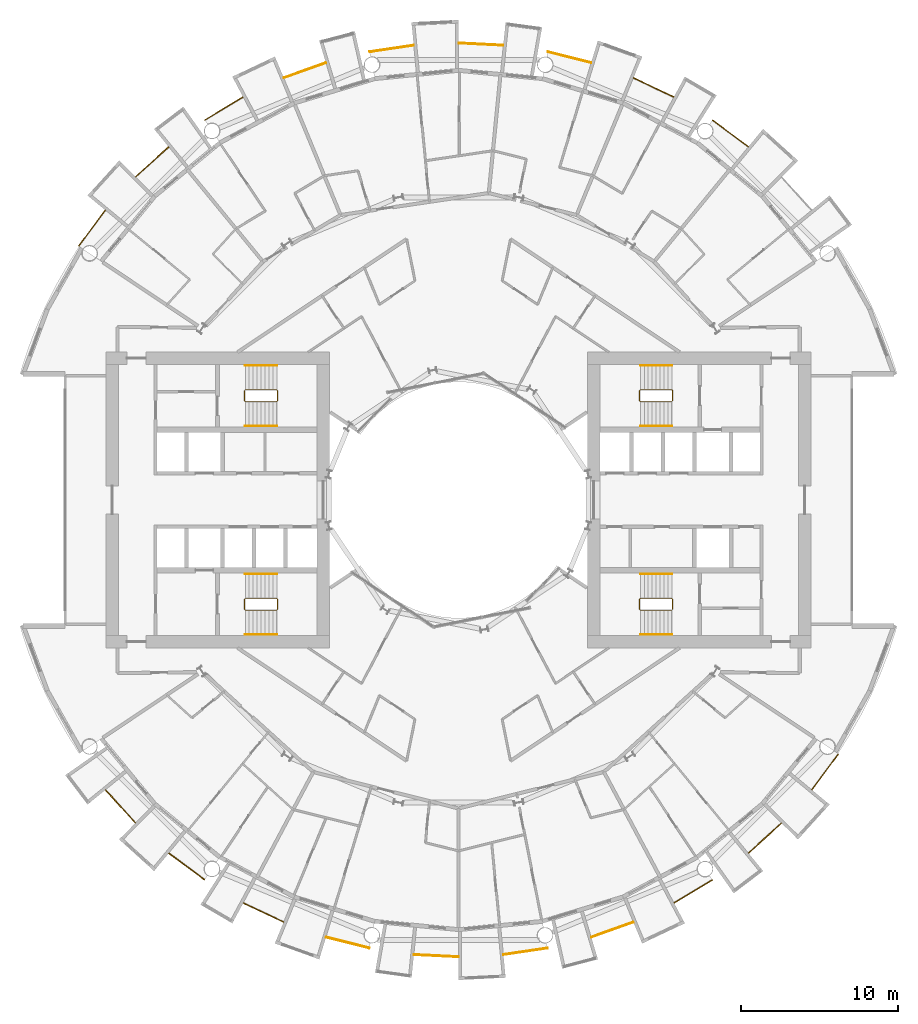
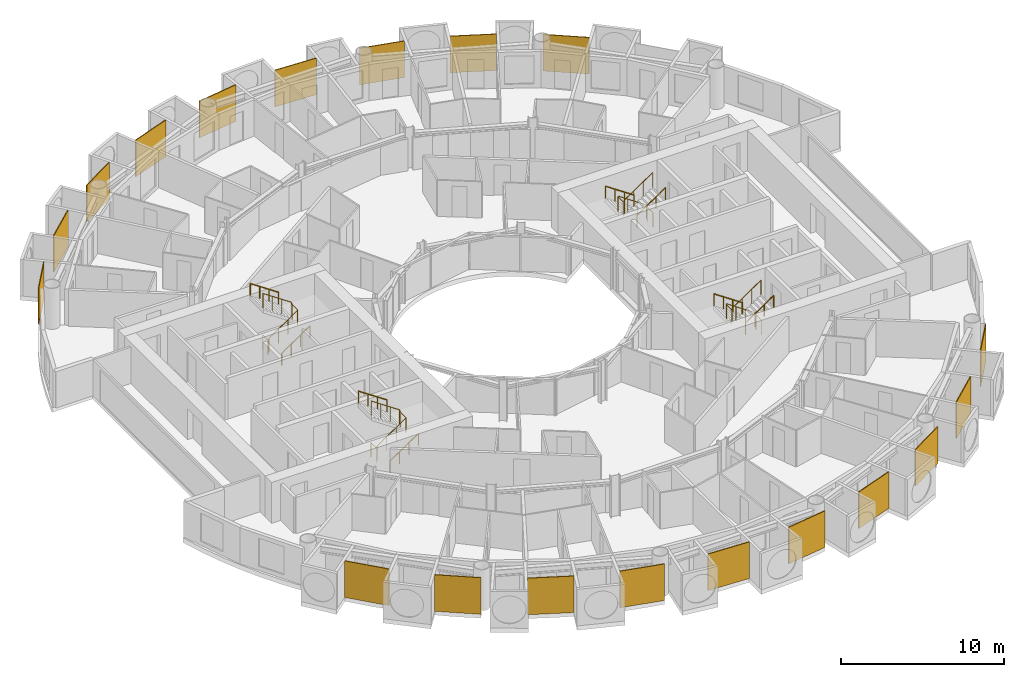
# One storey, part 25 of 26: 31 railings.
"""IFC4 building model written with IfcOpenShell, lengths in metres."""

import ifcopenshell
import ifcopenshell.guid

model = None  # the IFC model being written
_history = None  # IfcOwnerHistory: only IFC2X3 demands one
_inside = {}  # id of a spatial element -> (the spatial element, [elements in it])
_under = {}  # id of a project, library or spatial element -> (it, [spatial elements below it])
_declared = {}  # id of a project -> (the project, [libraries it declares])
_typed = {}  # id of a type object -> (the type object, [elements of that type])
_made_of = {}  # id of a material, layer set ... -> (it, [elements and type objects made of it])


def new_model(schema):
    """Start an empty IFC model of exactly this schema.

    Asked for "IFC4X3", IfcOpenShell would pick the latest addendum, in which some entities
    have other attributes; the version numbers below select the first issue.
    IFC2X3 requires an IfcOwnerHistory on every rooted entity: one is made here for all.
    """
    global model, _history
    if schema == "IFC4X3":
        model = ifcopenshell.file(schema_version=(4, 3, 0, 0))
    else:
        model = ifcopenshell.file(schema=schema)
    _inside.clear()
    _under.clear()
    _declared.clear()
    _typed.clear()
    _made_of.clear()
    _history = None
    if model.schema == "IFC2X3":
        org = make("IfcOrganization", Name="unknown")
        user = make(
            "IfcPersonAndOrganization",
            ThePerson=make("IfcPerson", FamilyName="unknown"),
            TheOrganization=org,
        )
        app = make(
            "IfcApplication",
            ApplicationDeveloper=org,
            Version="unknown",
            ApplicationFullName="unknown",
            ApplicationIdentifier="unknown",
        )
        _history = make(
            "IfcOwnerHistory",
            OwningUser=user,
            OwningApplication=app,
            ChangeAction="ADDED",
            CreationDate=0,
        )
    return model


def make(cls, **values):
    """One entity of the class cls with the attributes given. An attribute that is None is left unset."""
    return model.create_entity(
        cls, **{name: value for name, value in values.items() if value is not None}
    )


def rooted(cls, **values):
    """An entity with a GlobalId (a new one), such as an element, a storey or a relation."""
    return make(cls, GlobalId=ifcopenshell.guid.new(), OwnerHistory=_history, **values)


def si_unit(unit_type, name, prefix=None):
    """IfcSIUnit, for example si_unit("LENGTHUNIT", "METRE", prefix="MILLI")."""
    return make("IfcSIUnit", UnitType=unit_type, Prefix=prefix, Name=name)


def assignment(units):
    """IfcUnitAssignment: the units of a project."""
    return None if units is None else make("IfcUnitAssignment", Units=units)


def point(xyz):
    """IfcCartesianPoint."""
    return None if xyz is None else make("IfcCartesianPoint", Coordinates=xyz)


def direction(xyz):
    """IfcDirection."""
    return None if xyz is None else make("IfcDirection", DirectionRatios=xyz)


def frame(location, z_axis=None, x_axis=None):
    """IfcAxis2Placement3D, a coordinate frame: its origin and axes. An axis left out is left unset."""
    return make(
        "IfcAxis2Placement3D",
        Location=point(location),
        Axis=direction(z_axis),
        RefDirection=direction(x_axis),
    )


def frame_2d(location, x_axis=None):
    """IfcAxis2Placement2D, a coordinate frame in the plane: its origin and x axis."""
    return make(
        "IfcAxis2Placement2D", Location=point(location), RefDirection=direction(x_axis)
    )


def origin():
    """The frame at (0, 0, 0) with its axes left unset."""
    return frame((0.0, 0.0, 0.0))


def origin_2d():
    """The frame at (0, 0) in the plane with its x axis left unset."""
    return frame_2d((0.0, 0.0))


def place(relative_to, where):
    """IfcLocalPlacement: puts the frame where relative to a parent placement (None: the world)."""
    return make(
        "IfcLocalPlacement", PlacementRelTo=relative_to, RelativePlacement=where
    )


def context(
    kind, dimensions, precision=None, world=None, true_north=None, identifier=None
):
    """IfcGeometricRepresentationContext, for example the 3D "Model" context."""
    return make(
        "IfcGeometricRepresentationContext",
        ContextIdentifier=identifier,
        ContextType=kind,
        CoordinateSpaceDimension=dimensions,
        Precision=precision,
        WorldCoordinateSystem=world,
        TrueNorth=true_north,
    )


def subcontext(parent, identifier, kind, view, scale=None):
    """IfcGeometricRepresentationSubContext, for example "Body" below "Model"."""
    return make(
        "IfcGeometricRepresentationSubContext",
        ContextIdentifier=identifier,
        ContextType=kind,
        ParentContext=parent,
        TargetScale=scale,
        TargetView=view,
    )


def project(units=None, contexts=None):
    """IfcProject with its units and contexts."""
    return rooted(
        "IfcProject",
        Name="project",
        RepresentationContexts=contexts,
        UnitsInContext=assignment(units),
    )


def spatial(cls, under=None, at=None, **own):
    """A site, building, storey or space (cls), placed at a placement, below another one or the project."""
    s = rooted(cls, ObjectPlacement=at, **own)
    if under is not None:
        _under.setdefault(under.id(), (under, []))[1].append(s)
    return s


def polyline(points):
    """IfcPolyline through the points."""
    return make("IfcPolyline", Points=[point(p) for p in points])


def profile(cls, at=None, kind="AREA", **sizes):
    """A parametric profile (cls). Its sizes go by their IFC names, for example OverallWidth=200.0."""
    return make(cls, ProfileType=kind, Position=at, **sizes)


def circle(**sizes):
    """IfcCircleProfileDef."""
    return profile("IfcCircleProfileDef", **sizes)


def outline(outer, holes=None, kind="AREA"):
    """IfcArbitraryClosedProfileDef: a profile drawn as a closed curve; with holes, ...WithVoids."""
    if holes is None:
        return make("IfcArbitraryClosedProfileDef", ProfileType=kind, OuterCurve=outer)
    return make(
        "IfcArbitraryProfileDefWithVoids",
        ProfileType=kind,
        OuterCurve=outer,
        InnerCurves=holes,
    )


def extrude(swept, where, along, depth):
    """IfcExtrudedAreaSolid: the profile swept, set in the frame where, extruded along a direction by depth."""
    return make(
        "IfcExtrudedAreaSolid",
        SweptArea=swept,
        Position=where,
        ExtrudedDirection=direction(along),
        Depth=depth,
    )


def shape(context_of_items, identifier, shape_type, items):
    """IfcShapeRepresentation: the items that make up one representation, for example the "Body"."""
    return make(
        "IfcShapeRepresentation",
        ContextOfItems=context_of_items,
        RepresentationIdentifier=identifier,
        RepresentationType=shape_type,
        Items=items,
    )


def material(Name=None, Category=None):
    """IfcMaterial."""
    return make("IfcMaterial", Name=Name, Category=Category)


def layer(
    of_material, thickness, ventilated=None, Name=None, Category=None, Priority=None
):
    """IfcMaterialLayer: one layer of a wall or slab, of a material (None: an air gap)."""
    return make(
        "IfcMaterialLayer",
        Material=of_material,
        LayerThickness=thickness,
        IsVentilated=ventilated,
        Name=Name,
        Category=Category,
        Priority=Priority,
    )


def layer_set(layers, Name=None):
    """IfcMaterialLayerSet."""
    return make("IfcMaterialLayerSet", MaterialLayers=layers, LayerSetName=Name)


def made_of(thing, what):
    """Note that an element or type object is made of a material, layer set ...; save() writes the relation."""
    if what is not None:
        _made_of.setdefault(what.id(), (what, []))[1].append(thing)
    return thing


def type_object(cls, material=None, **own):
    """A type object (cls), such as IfcWallType, which elements share."""
    return made_of(rooted(cls, **own), material)


def element(
    cls,
    number,
    at=None,
    inside=None,
    cuts=None,
    type_object=None,
    material=None,
    context=None,
    identifier="Body",
    shape_type=None,
    held_by="IfcProductDefinitionShape",
    body=None,
    shapes=None,
    **own,
):
    """One element of the class cls, such as IfcWall. Its Tag is "e" and its number.

    at: its placement. inside: the storey or other place that contains it. cuts: it is an
    opening in that element (IfcRelVoidsElement). A single representation is given by context,
    identifier, shape_type and body (its items); several are given by shapes. held_by: the class
    of the entity that holds the representations. save() writes the other relations.
    """
    e = rooted(cls, Tag="e%d" % number, ObjectPlacement=at, **own)
    if body is not None:
        shapes = [shape(context, identifier, shape_type, body)]
    if shapes is not None:
        e.Representation = make(held_by, Representations=shapes)
    if inside is not None:
        _inside.setdefault(inside.id(), (inside, []))[1].append(e)
    if cuts is not None:
        rooted(
            "IfcRelVoidsElement", RelatingBuildingElement=cuts, RelatedOpeningElement=e
        )
    if type_object is not None:
        _typed.setdefault(type_object.id(), (type_object, []))[1].append(e)
    return made_of(e, material)


def aggregate(whole, parts):
    """IfcRelAggregates: a whole, such as a stair, and the parts it consists of."""
    return rooted("IfcRelAggregates", RelatingObject=whole, RelatedObjects=parts)


def save(model, path):
    """Write the relations noted so far, then the file.

    IfcRelAggregates (storeys below a building ...), IfcRelContainedInSpatialStructure (elements
    in a storey), IfcRelDefinesByType, IfcRelAssociatesMaterial and IfcRelDeclares: one each for
    every whole, place, type object, material and project.
    """
    for whole, parts in _under.values():
        aggregate(whole, parts)
    for where, things in _inside.values():
        rooted(
            "IfcRelContainedInSpatialStructure",
            RelatedElements=things,
            RelatingStructure=where,
        )
    for kind, things in _typed.values():
        rooted("IfcRelDefinesByType", RelatedObjects=things, RelatingType=kind)
    for what, things in _made_of.values():
        rooted("IfcRelAssociatesMaterial", RelatedObjects=things, RelatingMaterial=what)
    for by, libraries in _declared.values():
        rooted("IfcRelDeclares", RelatingContext=by, RelatedDefinitions=libraries)
    model.write(path)


model = new_model("IFC4")

# Units and contexts
model_context = context("Model", 3, precision=1e-05, world=origin(), true_north=direction((0.0, 1.0)))
body_context = subcontext(model_context, "Body", "Model", "MODEL_VIEW")
ifc_project = project(units=[si_unit("LENGTHUNIT", "METRE"), si_unit("AREAUNIT", "SQUARE_METRE"), si_unit("VOLUMEUNIT", "CUBIC_METRE"), si_unit("PLANEANGLEUNIT", "RADIAN"), si_unit("MASSUNIT", "GRAM", prefix="KILO")], contexts=[model_context])

# Site, building, storey
site_placement = place(None, origin())
site = spatial("IfcSite", under=ifc_project, at=site_placement, CompositionType="ELEMENT")
building_placement = place(site_placement, origin())
building = spatial("IfcBuilding", under=site, at=building_placement, Name="Maasbend Ring Residences", CompositionType="ELEMENT")
storey_placement = place(building_placement, frame((0.0, 0.0, 28.89990234375)))
storey = spatial("IfcBuildingStorey", under=building, at=storey_placement, Name="L07", CompositionType="ELEMENT", Elevation=28.89990234375)

# Railings
ifc_material_1 = material(Name="Pale anodised perforated aluminium", Category="aluminium")
ifc_layer = layer(ifc_material_1, 0.06005859375)
ifc_layer_set = layer_set([ifc_layer], Name="SCREEN-P")
railing_type_1 = type_object("IfcRailingType", Name="SCREEN-P", PredefinedType="GUARDRAIL", material=ifc_layer_set)
railing_1_placement = place(storey_placement, frame((0.0, 0.0, -0.02978515625)))
element("IfcRailing", 1, at=railing_1_placement, inside=storey, type_object=railing_type_1, Name="Perforated screen guard 2", PredefinedType="GUARDRAIL", context=body_context, shape_type="SweptSolid", body=[
    extrude(outline(polyline([(18.39697265625, 22.4169921875), (16.112060546875, 24.113037109375), (16.14697265625, 24.160888671875), (18.43310546875, 22.465087890625), (18.39697265625, 22.4169921875)])), origin(), (0.0, 0.0, 1.0), 2.72998046875),
])
railing_2_placement = place(storey_placement, frame((0.0, 0.0, -0.02978515625)))
element("IfcRailing", 2, at=railing_2_placement, inside=storey, type_object=railing_type_1, Name="Perforated screen guard 3", PredefinedType="GUARDRAIL", context=body_context, shape_type="SweptSolid", body=[
    extrude(outline(polyline([(13.6708984375, 25.575927734375), (11.097900390625, 26.79296875), (11.123046875, 26.846923828125), (13.696044921875, 25.6298828125), (13.6708984375, 25.575927734375)])), origin(), (0.0, 0.0, 1.0), 2.72998046875),
])
railing_3_placement = place(storey_placement, frame((0.0, 0.0, -0.02978515625)))
element("IfcRailing", 3, at=railing_3_placement, inside=storey, type_object=railing_type_1, Name="Perforated screen guard 4", PredefinedType="GUARDRAIL", context=body_context, shape_type="SweptSolid", body=[
    extrude(outline(polyline([(8.41796875, 27.7509765625), (5.657958984375, 28.443115234375), (5.672119140625, 28.5009765625), (8.43310546875, 27.80908203125), (8.41796875, 27.7509765625)])), origin(), (0.0, 0.0, 1.0), 2.72998046875),
])
railing_4_placement = place(storey_placement, frame((0.0, 0.0, -0.02978515625)))
element("IfcRailing", 4, at=railing_4_placement, inside=storey, type_object=railing_type_1, Name="Perforated screen guard 5", PredefinedType="GUARDRAIL", context=body_context, shape_type="SweptSolid", body=[
    extrude(outline(polyline([(2.842041015625, 28.860107421875), (0.0, 29.0), (0.0029296875, 29.06005859375), (2.844970703125, 28.919921875), (2.842041015625, 28.860107421875)])), origin(), (0.0, 0.0, 1.0), 2.72998046875),
])
railing_5_placement = place(storey_placement, frame((0.0, 0.0, -0.02978515625)))
element("IfcRailing", 5, at=railing_5_placement, inside=storey, type_object=railing_type_1, Name="Perforated screen guard 6", PredefinedType="GUARDRAIL", context=body_context, shape_type="SweptSolid", body=[
    extrude(outline(polyline([(-2.842041015625, 28.860107421875), (-5.657958984375, 28.443115234375), (-5.666015625, 28.501953125), (-2.85107421875, 28.919921875), (-2.842041015625, 28.860107421875)])), origin(), (0.0, 0.0, 1.0), 2.72998046875),
])
railing_6_placement = place(storey_placement, frame((0.0, 0.0, -0.02978515625)))
element("IfcRailing", 6, at=railing_6_placement, inside=storey, type_object=railing_type_1, Name="Perforated screen guard 7", PredefinedType="GUARDRAIL", context=body_context, shape_type="SweptSolid", body=[
    extrude(outline(polyline([(-8.41796875, 27.7509765625), (-11.097900390625, 26.79296875), (-11.117919921875, 26.84912109375), (-8.43798828125, 27.80810546875), (-8.41796875, 27.7509765625)])), origin(), (0.0, 0.0, 1.0), 2.72998046875),
])
railing_7_placement = place(storey_placement, frame((0.0, 0.0, -0.02978515625)))
element("IfcRailing", 7, at=railing_7_placement, inside=storey, type_object=railing_type_1, Name="Perforated screen guard 8", PredefinedType="GUARDRAIL", context=body_context, shape_type="SweptSolid", body=[
    extrude(outline(polyline([(-13.6708984375, 25.575927734375), (-16.112060546875, 24.113037109375), (-16.14208984375, 24.1640625), (-13.700927734375, 25.626953125), (-13.6708984375, 25.575927734375)])), origin(), (0.0, 0.0, 1.0), 2.72998046875),
])
railing_8_placement = place(storey_placement, frame((0.0, 0.0, -0.02978515625)))
element("IfcRailing", 8, at=railing_8_placement, inside=storey, type_object=railing_type_1, Name="Perforated screen guard 9", PredefinedType="GUARDRAIL", context=body_context, shape_type="SweptSolid", body=[
    extrude(outline(polyline([(-18.39697265625, 22.4169921875), (-20.506103515625, 20.506103515625), (-20.5458984375, 20.551025390625), (-18.43798828125, 22.4619140625), (-18.39697265625, 22.4169921875)])), origin(), (0.0, 0.0, 1.0), 2.72998046875),
])
railing_9_placement = place(storey_placement, frame((0.0, 0.0, -0.02978515625)))
element("IfcRailing", 9, at=railing_9_placement, inside=storey, type_object=railing_type_1, Name="Perforated screen guard 10", PredefinedType="GUARDRAIL", context=body_context, shape_type="SweptSolid", body=[
    extrude(outline(polyline([(-22.4169921875, 18.39697265625), (-24.113037109375, 16.112060546875), (-24.160888671875, 16.14697265625), (-22.465087890625, 18.43310546875), (-22.4169921875, 18.39697265625)])), origin(), (0.0, 0.0, 1.0), 2.72998046875),
])
railing_10_placement = place(storey_placement, frame((0.0, 0.0, -0.02978515625)))
element("IfcRailing", 10, at=railing_10_placement, inside=storey, type_object=railing_type_1, Name="Perforated screen guard 1", PredefinedType="GUARDRAIL", context=body_context, shape_type="SweptSolid", body=[
    extrude(outline(polyline([(-22.4169921875, -18.39697265625), (-20.506103515625, -20.506103515625), (-20.551025390625, -20.5458984375), (-22.4619140625, -18.43798828125), (-22.4169921875, -18.39697265625)])), origin(), (0.0, 0.0, 1.0), 2.72998046875),
])
railing_11_placement = place(storey_placement, frame((0.0, 0.0, -0.02978515625)))
element("IfcRailing", 11, at=railing_11_placement, inside=storey, type_object=railing_type_1, Name="Perforated screen guard 2", PredefinedType="GUARDRAIL", context=body_context, shape_type="SweptSolid", body=[
    extrude(outline(polyline([(-18.39697265625, -22.4169921875), (-16.112060546875, -24.113037109375), (-16.14697265625, -24.160888671875), (-18.43310546875, -22.465087890625), (-18.39697265625, -22.4169921875)])), origin(), (0.0, 0.0, 1.0), 2.72998046875),
])
railing_12_placement = place(storey_placement, frame((0.0, 0.0, -0.02978515625)))
element("IfcRailing", 12, at=railing_12_placement, inside=storey, type_object=railing_type_1, Name="Perforated screen guard 3", PredefinedType="GUARDRAIL", context=body_context, shape_type="SweptSolid", body=[
    extrude(outline(polyline([(-13.6708984375, -25.575927734375), (-11.097900390625, -26.79296875), (-11.123046875, -26.846923828125), (-13.696044921875, -25.6298828125), (-13.6708984375, -25.575927734375)])), origin(), (0.0, 0.0, 1.0), 2.72998046875),
])
railing_13_placement = place(storey_placement, frame((0.0, 0.0, -0.02978515625)))
element("IfcRailing", 13, at=railing_13_placement, inside=storey, type_object=railing_type_1, Name="Perforated screen guard 4", PredefinedType="GUARDRAIL", context=body_context, shape_type="SweptSolid", body=[
    extrude(outline(polyline([(-8.41796875, -27.7509765625), (-5.657958984375, -28.443115234375), (-5.672119140625, -28.5009765625), (-8.43310546875, -27.80908203125), (-8.41796875, -27.7509765625)])), origin(), (0.0, 0.0, 1.0), 2.72998046875),
])
railing_14_placement = place(storey_placement, frame((0.0, 0.0, -0.02978515625)))
element("IfcRailing", 14, at=railing_14_placement, inside=storey, type_object=railing_type_1, Name="Perforated screen guard 5", PredefinedType="GUARDRAIL", context=body_context, shape_type="SweptSolid", body=[
    extrude(outline(polyline([(-2.842041015625, -28.860107421875), (0.0, -29.0), (-0.0029296875, -29.06005859375), (-2.844970703125, -28.919921875), (-2.842041015625, -28.860107421875)])), origin(), (0.0, 0.0, 1.0), 2.72998046875),
])
railing_15_placement = place(storey_placement, frame((0.0, 0.0, -0.02978515625)))
element("IfcRailing", 15, at=railing_15_placement, inside=storey, type_object=railing_type_1, Name="Perforated screen guard 6", PredefinedType="GUARDRAIL", context=body_context, shape_type="SweptSolid", body=[
    extrude(outline(polyline([(2.842041015625, -28.860107421875), (5.657958984375, -28.443115234375), (5.666015625, -28.501953125), (2.85107421875, -28.919921875), (2.842041015625, -28.860107421875)])), origin(), (0.0, 0.0, 1.0), 2.72998046875),
])
railing_16_placement = place(storey_placement, frame((0.0, 0.0, -0.02978515625)))
element("IfcRailing", 16, at=railing_16_placement, inside=storey, type_object=railing_type_1, Name="Perforated screen guard 7", PredefinedType="GUARDRAIL", context=body_context, shape_type="SweptSolid", body=[
    extrude(outline(polyline([(8.41796875, -27.7509765625), (11.097900390625, -26.79296875), (11.117919921875, -26.84912109375), (8.43798828125, -27.80810546875), (8.41796875, -27.7509765625)])), origin(), (0.0, 0.0, 1.0), 2.72998046875),
])
railing_17_placement = place(storey_placement, frame((0.0, 0.0, -0.02978515625)))
element("IfcRailing", 17, at=railing_17_placement, inside=storey, type_object=railing_type_1, Name="Perforated screen guard 8", PredefinedType="GUARDRAIL", context=body_context, shape_type="SweptSolid", body=[
    extrude(outline(polyline([(13.6708984375, -25.575927734375), (16.112060546875, -24.113037109375), (16.14208984375, -24.1640625), (13.700927734375, -25.626953125), (13.6708984375, -25.575927734375)])), origin(), (0.0, 0.0, 1.0), 2.72998046875),
])
railing_18_placement = place(storey_placement, frame((0.0, 0.0, -0.02978515625)))
element("IfcRailing", 18, at=railing_18_placement, inside=storey, type_object=railing_type_1, Name="Perforated screen guard 9", PredefinedType="GUARDRAIL", context=body_context, shape_type="SweptSolid", body=[
    extrude(outline(polyline([(18.39697265625, -22.4169921875), (20.506103515625, -20.506103515625), (20.5458984375, -20.551025390625), (18.43798828125, -22.4619140625), (18.39697265625, -22.4169921875)])), origin(), (0.0, 0.0, 1.0), 2.72998046875),
])
railing_19_placement = place(storey_placement, frame((0.0, 0.0, -0.02978515625)))
element("IfcRailing", 19, at=railing_19_placement, inside=storey, type_object=railing_type_1, Name="Perforated screen guard 10", PredefinedType="GUARDRAIL", context=body_context, shape_type="SweptSolid", body=[
    extrude(outline(polyline([(22.4169921875, -18.39697265625), (24.113037109375, -16.112060546875), (24.160888671875, -16.14697265625), (22.465087890625, -18.43310546875), (22.4169921875, -18.39697265625)])), origin(), (0.0, 0.0, 1.0), 2.72998046875),
])
ifc_material_2 = material(Name="Stainless steel 316", Category="steel")
railing_type_2 = type_object("IfcRailingType", Name="STAIR GUARD 1100", PredefinedType="GUARDRAIL", material=ifc_material_2)
railing_20_placement = place(storey_placement, frame((13.60009765625, 6.300048828125, 0.0)))
element("IfcRailing", 20, at=railing_20_placement, inside=storey, type_object=railing_type_2, Name="L07 ST-E1 stair guard 1", PredefinedType="GUARDRAIL", context=body_context, shape_type="SweptSolid", body=[
    extrude(circle(Radius=0.02392578125, at=origin_2d()), frame((0.0, 0.0, 1.076171875), z_axis=(0.0, 1.0, 0.0), x_axis=(-1.0, 0.0, 0.0)), (0.0, 0.0, 1.0), 0.64990234375),
    extrude(circle(Radius=0.02392578125, at=origin_2d()), frame((0.0, 0.64990234375, 1.076171875), z_axis=(-0.272562526181, 0.272562526181, 0.92272386912), x_axis=(-0.707106781187, -0.707106781187, 0.0)), (0.0, 0.0, 1.0), 0.18359375),
    extrude(circle(Radius=0.02392578125, at=origin_2d()), frame((-0.050048828125, 0.699951171875, 1.24560546875), z_axis=(-0.827750655447, 0.0, 0.561096116906), x_axis=(0.0, -1.0, 0.0)), (0.0, 0.0, 1.0), 2.416259765625),
    extrude(circle(Radius=0.02392578125, at=origin_2d()), frame((-2.050048828125, 0.699951171875, 2.60107421875), z_axis=(-0.707106781187, -0.707106781187, 0.0), x_axis=(0.707106781187, -0.707106781187, 0.0)), (0.0, 0.0, 1.0), 0.07080078125),
    extrude(circle(Radius=0.02392578125, at=origin_2d()), frame((-2.10009765625, 0.64990234375, 2.60107421875), z_axis=(0.0, -1.0, 0.0), x_axis=(1.0, 0.0, 0.0)), (0.0, 0.0, 1.0), 0.64990234375),
    extrude(circle(Radius=0.02392578125, at=origin_2d()), frame((-2.10009765625, 0.0, 2.60107421875), z_axis=(0.272562526181, -0.272562526181, 0.92272386912), x_axis=(0.707106781187, 0.707106781187, 0.0)), (0.0, 0.0, 1.0), 0.18359375),
    extrude(circle(Radius=0.02392578125, at=origin_2d()), frame((-2.050048828125, -0.050048828125, 2.7705078125), z_axis=(0.827797584762, 0.0, 0.561026878735), x_axis=(0.0, 1.0, 0.0)), (0.0, 0.0, 1.0), 2.416015625),
    extrude(circle(Radius=0.02099609375, at=origin_2d()), origin(), (0.0, 0.0, 1.0), 1.052001953125),
    extrude(circle(Radius=0.02099609375, at=origin_2d()), frame((0.0, 0.64990234375, 0.0)), (0.0, 0.0, 1.0), 1.052001953125),
    extrude(circle(Radius=0.02099609375, at=origin_2d()), frame((-0.050048828125, 0.699951171875, 0.16943359375)), (0.0, 0.0, 1.0), 1.052001953125),
    extrude(circle(Radius=0.02099609375, at=origin_2d()), frame((-0.716796875, 0.699951171875, 0.621337890625)), (0.0, 0.0, 1.0), 1.052001953125),
    extrude(circle(Radius=0.02099609375, at=origin_2d()), frame((-1.38330078125, 0.699951171875, 1.0732421875)), (0.0, 0.0, 1.0), 1.052001953125),
    extrude(circle(Radius=0.02099609375, at=origin_2d()), frame((-2.050048828125, 0.699951171875, 1.525146484375)), (0.0, 0.0, 1.0), 1.052001953125),
    extrude(circle(Radius=0.02099609375, at=origin_2d()), frame((-2.10009765625, 0.64990234375, 1.525146484375)), (0.0, 0.0, 1.0), 1.052001953125),
    extrude(circle(Radius=0.02099609375, at=origin_2d()), frame((-2.10009765625, 0.0, 1.525146484375)), (0.0, 0.0, 1.0), 1.052001953125),
    extrude(circle(Radius=0.02099609375, at=origin_2d()), frame((-2.050048828125, -0.050048828125, 1.694580078125)), (0.0, 0.0, 1.0), 1.052001953125),
    extrude(circle(Radius=0.02099609375, at=origin_2d()), frame((-1.38330078125, -0.050048828125, 2.146484375)), (0.0, 0.0, 1.0), 1.052001953125),
    extrude(circle(Radius=0.02099609375, at=origin_2d()), frame((-0.716796875, -0.050048828125, 2.59814453125)), (0.0, 0.0, 1.0), 1.052001953125),
    extrude(circle(Radius=0.02099609375, at=origin_2d()), frame((-0.050048828125, -0.050048828125, 3.050048828125)), (0.0, 0.0, 1.0), 1.052001953125),
])
railing_21_placement = place(storey_placement, frame((13.60009765625, -6.949951171875, 0.0)))
element("IfcRailing", 21, at=railing_21_placement, inside=storey, type_object=railing_type_2, Name="L07 ST-E2 stair guard 1", PredefinedType="GUARDRAIL", context=body_context, shape_type="SweptSolid", body=[
    extrude(circle(Radius=0.02392578125, at=origin_2d()), frame((0.0, 0.0, 1.076171875), z_axis=(0.0, 1.0, 0.0), x_axis=(-1.0, 0.0, 0.0)), (0.0, 0.0, 1.0), 0.64990234375),
    extrude(circle(Radius=0.02392578125, at=origin_2d()), frame((0.0, 0.64990234375, 1.076171875), z_axis=(-0.272562526181, 0.272562526181, 0.92272386912), x_axis=(-0.707106781187, -0.707106781187, 0.0)), (0.0, 0.0, 1.0), 0.18359375),
    extrude(circle(Radius=0.02392578125, at=origin_2d()), frame((-0.050048828125, 0.699951171875, 1.24560546875), z_axis=(-0.827750655447, 0.0, 0.561096116906), x_axis=(0.0, -1.0, 0.0)), (0.0, 0.0, 1.0), 2.416259765625),
    extrude(circle(Radius=0.02392578125, at=origin_2d()), frame((-2.050048828125, 0.699951171875, 2.60107421875), z_axis=(-0.707106781187, -0.707106781187, 0.0), x_axis=(0.707106781187, -0.707106781187, 0.0)), (0.0, 0.0, 1.0), 0.07080078125),
    extrude(circle(Radius=0.02392578125, at=origin_2d()), frame((-2.10009765625, 0.64990234375, 2.60107421875), z_axis=(0.0, -1.0, 0.0), x_axis=(1.0, 0.0, 0.0)), (0.0, 0.0, 1.0), 0.64990234375),
    extrude(circle(Radius=0.02392578125, at=origin_2d()), frame((-2.10009765625, 0.0, 2.60107421875), z_axis=(0.272562526181, -0.272562526181, 0.92272386912), x_axis=(0.707106781187, 0.707106781187, 0.0)), (0.0, 0.0, 1.0), 0.18359375),
    extrude(circle(Radius=0.02392578125, at=origin_2d()), frame((-2.050048828125, -0.050048828125, 2.7705078125), z_axis=(0.827797584762, 0.0, 0.561026878735), x_axis=(0.0, 1.0, 0.0)), (0.0, 0.0, 1.0), 2.416015625),
    extrude(circle(Radius=0.02099609375, at=origin_2d()), origin(), (0.0, 0.0, 1.0), 1.052001953125),
    extrude(circle(Radius=0.02099609375, at=origin_2d()), frame((0.0, 0.64990234375, 0.0)), (0.0, 0.0, 1.0), 1.052001953125),
    extrude(circle(Radius=0.02099609375, at=origin_2d()), frame((-0.050048828125, 0.699951171875, 0.16943359375)), (0.0, 0.0, 1.0), 1.052001953125),
    extrude(circle(Radius=0.02099609375, at=origin_2d()), frame((-0.716796875, 0.699951171875, 0.621337890625)), (0.0, 0.0, 1.0), 1.052001953125),
    extrude(circle(Radius=0.02099609375, at=origin_2d()), frame((-1.38330078125, 0.699951171875, 1.0732421875)), (0.0, 0.0, 1.0), 1.052001953125),
    extrude(circle(Radius=0.02099609375, at=origin_2d()), frame((-2.050048828125, 0.699951171875, 1.525146484375)), (0.0, 0.0, 1.0), 1.052001953125),
    extrude(circle(Radius=0.02099609375, at=origin_2d()), frame((-2.10009765625, 0.64990234375, 1.525146484375)), (0.0, 0.0, 1.0), 1.052001953125),
    extrude(circle(Radius=0.02099609375, at=origin_2d()), frame((-2.10009765625, 0.0, 1.525146484375)), (0.0, 0.0, 1.0), 1.052001953125),
    extrude(circle(Radius=0.02099609375, at=origin_2d()), frame((-2.050048828125, -0.050048828125, 1.694580078125)), (0.0, 0.0, 1.0), 1.052001953125),
    extrude(circle(Radius=0.02099609375, at=origin_2d()), frame((-1.38330078125, -0.050048828125, 2.146484375)), (0.0, 0.0, 1.0), 1.052001953125),
    extrude(circle(Radius=0.02099609375, at=origin_2d()), frame((-0.716796875, -0.050048828125, 2.59814453125)), (0.0, 0.0, 1.0), 1.052001953125),
    extrude(circle(Radius=0.02099609375, at=origin_2d()), frame((-0.050048828125, -0.050048828125, 3.050048828125)), (0.0, 0.0, 1.0), 1.052001953125),
])
railing_22_placement = place(storey_placement, frame((-13.60009765625, -6.300048828125, 0.0)))
element("IfcRailing", 22, at=railing_22_placement, inside=storey, type_object=railing_type_2, Name="L07 ST-W1 stair guard 1", PredefinedType="GUARDRAIL", context=body_context, shape_type="SweptSolid", body=[
    extrude(circle(Radius=0.02392578125, at=origin_2d()), frame((0.0, 0.0, 1.076171875), z_axis=(0.0, -1.0, 0.0), x_axis=(1.0, 0.0, 0.0)), (0.0, 0.0, 1.0), 0.64990234375),
    extrude(circle(Radius=0.02392578125, at=origin_2d()), frame((0.0, -0.64990234375, 1.076171875), z_axis=(0.272562526181, -0.272562526181, 0.92272386912), x_axis=(0.707106781187, 0.707106781187, 0.0)), (0.0, 0.0, 1.0), 0.18359375),
    extrude(circle(Radius=0.02392578125, at=origin_2d()), frame((0.050048828125, -0.699951171875, 1.24560546875), z_axis=(0.827750655447, 0.0, 0.561096116906), x_axis=(0.0, 1.0, 0.0)), (0.0, 0.0, 1.0), 2.416259765625),
    extrude(circle(Radius=0.02392578125, at=origin_2d()), frame((2.050048828125, -0.699951171875, 2.60107421875), z_axis=(0.707106781187, 0.707106781187, 0.0), x_axis=(-0.707106781187, 0.707106781187, 0.0)), (0.0, 0.0, 1.0), 0.07080078125),
    extrude(circle(Radius=0.02392578125, at=origin_2d()), frame((2.10009765625, -0.64990234375, 2.60107421875), z_axis=(0.0, 1.0, 0.0), x_axis=(-1.0, 0.0, 0.0)), (0.0, 0.0, 1.0), 0.64990234375),
    extrude(circle(Radius=0.02392578125, at=origin_2d()), frame((2.10009765625, 0.0, 2.60107421875), z_axis=(-0.272562526181, 0.272562526181, 0.92272386912), x_axis=(-0.707106781187, -0.707106781187, 0.0)), (0.0, 0.0, 1.0), 0.18359375),
    extrude(circle(Radius=0.02392578125, at=origin_2d()), frame((2.050048828125, 0.050048828125, 2.7705078125), z_axis=(-0.827797584762, 0.0, 0.561026878735), x_axis=(0.0, -1.0, 0.0)), (0.0, 0.0, 1.0), 2.416015625),
    extrude(circle(Radius=0.02099609375, at=origin_2d()), origin(), (0.0, 0.0, 1.0), 1.052001953125),
    extrude(circle(Radius=0.02099609375, at=origin_2d()), frame((0.0, -0.64990234375, 0.0)), (0.0, 0.0, 1.0), 1.052001953125),
    extrude(circle(Radius=0.02099609375, at=origin_2d()), frame((0.050048828125, -0.699951171875, 0.16943359375)), (0.0, 0.0, 1.0), 1.052001953125),
    extrude(circle(Radius=0.02099609375, at=origin_2d()), frame((0.716796875, -0.699951171875, 0.621337890625)), (0.0, 0.0, 1.0), 1.052001953125),
    extrude(circle(Radius=0.02099609375, at=origin_2d()), frame((1.38330078125, -0.699951171875, 1.0732421875)), (0.0, 0.0, 1.0), 1.052001953125),
    extrude(circle(Radius=0.02099609375, at=origin_2d()), frame((2.050048828125, -0.699951171875, 1.525146484375)), (0.0, 0.0, 1.0), 1.052001953125),
    extrude(circle(Radius=0.02099609375, at=origin_2d()), frame((2.10009765625, -0.64990234375, 1.525146484375)), (0.0, 0.0, 1.0), 1.052001953125),
    extrude(circle(Radius=0.02099609375, at=origin_2d()), frame((2.10009765625, 0.0, 1.525146484375)), (0.0, 0.0, 1.0), 1.052001953125),
    extrude(circle(Radius=0.02099609375, at=origin_2d()), frame((2.050048828125, 0.050048828125, 1.694580078125)), (0.0, 0.0, 1.0), 1.052001953125),
    extrude(circle(Radius=0.02099609375, at=origin_2d()), frame((1.38330078125, 0.050048828125, 2.146484375)), (0.0, 0.0, 1.0), 1.052001953125),
    extrude(circle(Radius=0.02099609375, at=origin_2d()), frame((0.716796875, 0.050048828125, 2.59814453125)), (0.0, 0.0, 1.0), 1.052001953125),
    extrude(circle(Radius=0.02099609375, at=origin_2d()), frame((0.050048828125, 0.050048828125, 3.050048828125)), (0.0, 0.0, 1.0), 1.052001953125),
])
railing_23_placement = place(storey_placement, frame((-13.60009765625, 6.949951171875, 0.0)))
element("IfcRailing", 23, at=railing_23_placement, inside=storey, type_object=railing_type_2, Name="L07 ST-W2 stair guard 1", PredefinedType="GUARDRAIL", context=body_context, shape_type="SweptSolid", body=[
    extrude(circle(Radius=0.02392578125, at=origin_2d()), frame((0.0, 0.0, 1.076171875), z_axis=(0.0, -1.0, 0.0), x_axis=(1.0, 0.0, 0.0)), (0.0, 0.0, 1.0), 0.64990234375),
    extrude(circle(Radius=0.02392578125, at=origin_2d()), frame((0.0, -0.64990234375, 1.076171875), z_axis=(0.272562526181, -0.272562526181, 0.92272386912), x_axis=(0.707106781187, 0.707106781187, 0.0)), (0.0, 0.0, 1.0), 0.18359375),
    extrude(circle(Radius=0.02392578125, at=origin_2d()), frame((0.050048828125, -0.699951171875, 1.24560546875), z_axis=(0.827750655447, 0.0, 0.561096116906), x_axis=(0.0, 1.0, 0.0)), (0.0, 0.0, 1.0), 2.416259765625),
    extrude(circle(Radius=0.02392578125, at=origin_2d()), frame((2.050048828125, -0.699951171875, 2.60107421875), z_axis=(0.707106781187, 0.707106781187, 0.0), x_axis=(-0.707106781187, 0.707106781187, 0.0)), (0.0, 0.0, 1.0), 0.07080078125),
    extrude(circle(Radius=0.02392578125, at=origin_2d()), frame((2.10009765625, -0.64990234375, 2.60107421875), z_axis=(0.0, 1.0, 0.0), x_axis=(-1.0, 0.0, 0.0)), (0.0, 0.0, 1.0), 0.64990234375),
    extrude(circle(Radius=0.02392578125, at=origin_2d()), frame((2.10009765625, 0.0, 2.60107421875), z_axis=(-0.272562526181, 0.272562526181, 0.92272386912), x_axis=(-0.707106781187, -0.707106781187, 0.0)), (0.0, 0.0, 1.0), 0.18359375),
    extrude(circle(Radius=0.02392578125, at=origin_2d()), frame((2.050048828125, 0.050048828125, 2.7705078125), z_axis=(-0.827797584762, 0.0, 0.561026878735), x_axis=(0.0, -1.0, 0.0)), (0.0, 0.0, 1.0), 2.416015625),
    extrude(circle(Radius=0.02099609375, at=origin_2d()), origin(), (0.0, 0.0, 1.0), 1.052001953125),
    extrude(circle(Radius=0.02099609375, at=origin_2d()), frame((0.0, -0.64990234375, 0.0)), (0.0, 0.0, 1.0), 1.052001953125),
    extrude(circle(Radius=0.02099609375, at=origin_2d()), frame((0.050048828125, -0.699951171875, 0.16943359375)), (0.0, 0.0, 1.0), 1.052001953125),
    extrude(circle(Radius=0.02099609375, at=origin_2d()), frame((0.716796875, -0.699951171875, 0.621337890625)), (0.0, 0.0, 1.0), 1.052001953125),
    extrude(circle(Radius=0.02099609375, at=origin_2d()), frame((1.38330078125, -0.699951171875, 1.0732421875)), (0.0, 0.0, 1.0), 1.052001953125),
    extrude(circle(Radius=0.02099609375, at=origin_2d()), frame((2.050048828125, -0.699951171875, 1.525146484375)), (0.0, 0.0, 1.0), 1.052001953125),
    extrude(circle(Radius=0.02099609375, at=origin_2d()), frame((2.10009765625, -0.64990234375, 1.525146484375)), (0.0, 0.0, 1.0), 1.052001953125),
    extrude(circle(Radius=0.02099609375, at=origin_2d()), frame((2.10009765625, 0.0, 1.525146484375)), (0.0, 0.0, 1.0), 1.052001953125),
    extrude(circle(Radius=0.02099609375, at=origin_2d()), frame((2.050048828125, 0.050048828125, 1.694580078125)), (0.0, 0.0, 1.0), 1.052001953125),
    extrude(circle(Radius=0.02099609375, at=origin_2d()), frame((1.38330078125, 0.050048828125, 2.146484375)), (0.0, 0.0, 1.0), 1.052001953125),
    extrude(circle(Radius=0.02099609375, at=origin_2d()), frame((0.716796875, 0.050048828125, 2.59814453125)), (0.0, 0.0, 1.0), 1.052001953125),
    extrude(circle(Radius=0.02099609375, at=origin_2d()), frame((0.050048828125, 0.050048828125, 3.050048828125)), (0.0, 0.0, 1.0), 1.052001953125),
])
ifc_material_3 = material(Name="Stainless steel 316", Category="steel")
railing_type_3 = type_object("IfcRailingType", Name="STAIR HANDRAIL 900", PredefinedType="HANDRAIL", material=ifc_material_3)
railing_24_placement = place(storey_placement, frame((13.550048828125, 8.550048828125, 0.16943359375)))
element("IfcRailing", 24, at=railing_24_placement, inside=storey, type_object=railing_type_3, Name="L07 ST-E1 stair handrail 1", PredefinedType="HANDRAIL", context=body_context, shape_type="SweptSolid", body=[
    extrude(circle(Radius=0.02392578125, at=origin_2d()), frame((0.0, 0.0, 0.8759765625), z_axis=(-0.827750655447, 0.0, 0.561096116906), x_axis=(0.0, -1.0, 0.0)), (0.0, 0.0, 1.0), 2.416259765625),
    extrude(circle(Radius=0.02099609375, at=origin_2d()), origin(), (0.0, 0.0, 1.0), 0.851806640625),
    extrude(circle(Radius=0.02099609375, at=origin_2d()), frame((-0.666748046875, 0.0, 0.451904296875)), (0.0, 0.0, 1.0), 0.851806640625),
    extrude(circle(Radius=0.02099609375, at=origin_2d()), frame((-1.333251953125, 0.0, 0.90380859375)), (0.0, 0.0, 1.0), 0.851806640625),
    extrude(circle(Radius=0.02099609375, at=origin_2d()), frame((-2.0, 0.0, 1.355712890625)), (0.0, 0.0, 1.0), 0.851806640625),
])
railing_25_placement = place(storey_placement, frame((11.550048828125, 4.699951171875, 1.694580078125)))
element("IfcRailing", 25, at=railing_25_placement, inside=storey, type_object=railing_type_3, Name="L07 ST-E1 stair handrail 2", PredefinedType="HANDRAIL", context=body_context, shape_type="SweptSolid", body=[
    extrude(circle(Radius=0.02392578125, at=origin_2d()), frame((0.0, 0.0, 0.8759765625), z_axis=(0.827797584762, 0.0, 0.561026878735), x_axis=(0.0, 1.0, 0.0)), (0.0, 0.0, 1.0), 2.416015625),
    extrude(circle(Radius=0.02099609375, at=origin_2d()), origin(), (0.0, 0.0, 1.0), 0.851806640625),
    extrude(circle(Radius=0.02099609375, at=origin_2d()), frame((0.666748046875, 0.0, 0.451904296875)), (0.0, 0.0, 1.0), 0.851806640625),
    extrude(circle(Radius=0.02099609375, at=origin_2d()), frame((1.333251953125, 0.0, 0.903564453125)), (0.0, 0.0, 1.0), 0.851806640625),
    extrude(circle(Radius=0.02099609375, at=origin_2d()), frame((2.0, 0.0, 1.35546875)), (0.0, 0.0, 1.0), 0.851806640625),
])
railing_26_placement = place(storey_placement, frame((13.550048828125, -4.699951171875, 0.16943359375)))
element("IfcRailing", 26, at=railing_26_placement, inside=storey, type_object=railing_type_3, Name="L07 ST-E2 stair handrail 1", PredefinedType="HANDRAIL", context=body_context, shape_type="SweptSolid", body=[
    extrude(circle(Radius=0.02392578125, at=origin_2d()), frame((0.0, 0.0, 0.8759765625), z_axis=(-0.827750655447, 0.0, 0.561096116906), x_axis=(0.0, -1.0, 0.0)), (0.0, 0.0, 1.0), 2.416259765625),
    extrude(circle(Radius=0.02099609375, at=origin_2d()), origin(), (0.0, 0.0, 1.0), 0.851806640625),
    extrude(circle(Radius=0.02099609375, at=origin_2d()), frame((-0.666748046875, 0.0, 0.451904296875)), (0.0, 0.0, 1.0), 0.851806640625),
    extrude(circle(Radius=0.02099609375, at=origin_2d()), frame((-1.333251953125, 0.0, 0.90380859375)), (0.0, 0.0, 1.0), 0.851806640625),
    extrude(circle(Radius=0.02099609375, at=origin_2d()), frame((-2.0, 0.0, 1.355712890625)), (0.0, 0.0, 1.0), 0.851806640625),
])
railing_27_placement = place(storey_placement, frame((11.550048828125, -8.550048828125, 1.694580078125)))
element("IfcRailing", 27, at=railing_27_placement, inside=storey, type_object=railing_type_3, Name="L07 ST-E2 stair handrail 2", PredefinedType="HANDRAIL", context=body_context, shape_type="SweptSolid", body=[
    extrude(circle(Radius=0.02392578125, at=origin_2d()), frame((0.0, 0.0, 0.8759765625), z_axis=(0.827797584762, 0.0, 0.561026878735), x_axis=(0.0, 1.0, 0.0)), (0.0, 0.0, 1.0), 2.416015625),
    extrude(circle(Radius=0.02099609375, at=origin_2d()), origin(), (0.0, 0.0, 1.0), 0.851806640625),
    extrude(circle(Radius=0.02099609375, at=origin_2d()), frame((0.666748046875, 0.0, 0.451904296875)), (0.0, 0.0, 1.0), 0.851806640625),
    extrude(circle(Radius=0.02099609375, at=origin_2d()), frame((1.333251953125, 0.0, 0.903564453125)), (0.0, 0.0, 1.0), 0.851806640625),
    extrude(circle(Radius=0.02099609375, at=origin_2d()), frame((2.0, 0.0, 1.35546875)), (0.0, 0.0, 1.0), 0.851806640625),
])
railing_28_placement = place(storey_placement, frame((-13.550048828125, -8.550048828125, 0.16943359375)))
element("IfcRailing", 28, at=railing_28_placement, inside=storey, type_object=railing_type_3, Name="L07 ST-W1 stair handrail 1", PredefinedType="HANDRAIL", context=body_context, shape_type="SweptSolid", body=[
    extrude(circle(Radius=0.02392578125, at=origin_2d()), frame((0.0, 0.0, 0.8759765625), z_axis=(0.827750655447, 0.0, 0.561096116906), x_axis=(0.0, 1.0, 0.0)), (0.0, 0.0, 1.0), 2.416259765625),
    extrude(circle(Radius=0.02099609375, at=origin_2d()), origin(), (0.0, 0.0, 1.0), 0.851806640625),
    extrude(circle(Radius=0.02099609375, at=origin_2d()), frame((0.666748046875, 0.0, 0.451904296875)), (0.0, 0.0, 1.0), 0.851806640625),
    extrude(circle(Radius=0.02099609375, at=origin_2d()), frame((1.333251953125, 0.0, 0.90380859375)), (0.0, 0.0, 1.0), 0.851806640625),
    extrude(circle(Radius=0.02099609375, at=origin_2d()), frame((2.0, 0.0, 1.355712890625)), (0.0, 0.0, 1.0), 0.851806640625),
])
railing_29_placement = place(storey_placement, frame((-11.550048828125, -4.699951171875, 1.694580078125)))
element("IfcRailing", 29, at=railing_29_placement, inside=storey, type_object=railing_type_3, Name="L07 ST-W1 stair handrail 2", PredefinedType="HANDRAIL", context=body_context, shape_type="SweptSolid", body=[
    extrude(circle(Radius=0.02392578125, at=origin_2d()), frame((0.0, 0.0, 0.8759765625), z_axis=(-0.827797584762, 0.0, 0.561026878735), x_axis=(0.0, -1.0, 0.0)), (0.0, 0.0, 1.0), 2.416015625),
    extrude(circle(Radius=0.02099609375, at=origin_2d()), origin(), (0.0, 0.0, 1.0), 0.851806640625),
    extrude(circle(Radius=0.02099609375, at=origin_2d()), frame((-0.666748046875, 0.0, 0.451904296875)), (0.0, 0.0, 1.0), 0.851806640625),
    extrude(circle(Radius=0.02099609375, at=origin_2d()), frame((-1.333251953125, 0.0, 0.903564453125)), (0.0, 0.0, 1.0), 0.851806640625),
    extrude(circle(Radius=0.02099609375, at=origin_2d()), frame((-2.0, 0.0, 1.35546875)), (0.0, 0.0, 1.0), 0.851806640625),
])
railing_30_placement = place(storey_placement, frame((-13.550048828125, 4.699951171875, 0.16943359375)))
element("IfcRailing", 30, at=railing_30_placement, inside=storey, type_object=railing_type_3, Name="L07 ST-W2 stair handrail 1", PredefinedType="HANDRAIL", context=body_context, shape_type="SweptSolid", body=[
    extrude(circle(Radius=0.02392578125, at=origin_2d()), frame((0.0, 0.0, 0.8759765625), z_axis=(0.827750655447, 0.0, 0.561096116906), x_axis=(0.0, 1.0, 0.0)), (0.0, 0.0, 1.0), 2.416259765625),
    extrude(circle(Radius=0.02099609375, at=origin_2d()), origin(), (0.0, 0.0, 1.0), 0.851806640625),
    extrude(circle(Radius=0.02099609375, at=origin_2d()), frame((0.666748046875, 0.0, 0.451904296875)), (0.0, 0.0, 1.0), 0.851806640625),
    extrude(circle(Radius=0.02099609375, at=origin_2d()), frame((1.333251953125, 0.0, 0.90380859375)), (0.0, 0.0, 1.0), 0.851806640625),
    extrude(circle(Radius=0.02099609375, at=origin_2d()), frame((2.0, 0.0, 1.355712890625)), (0.0, 0.0, 1.0), 0.851806640625),
])
railing_31_placement = place(storey_placement, frame((-11.550048828125, 8.550048828125, 1.694580078125)))
element("IfcRailing", 31, at=railing_31_placement, inside=storey, type_object=railing_type_3, Name="L07 ST-W2 stair handrail 2", PredefinedType="HANDRAIL", context=body_context, shape_type="SweptSolid", body=[
    extrude(circle(Radius=0.02392578125, at=origin_2d()), frame((0.0, 0.0, 0.8759765625), z_axis=(-0.827797584762, 0.0, 0.561026878735), x_axis=(0.0, -1.0, 0.0)), (0.0, 0.0, 1.0), 2.416015625),
    extrude(circle(Radius=0.02099609375, at=origin_2d()), origin(), (0.0, 0.0, 1.0), 0.851806640625),
    extrude(circle(Radius=0.02099609375, at=origin_2d()), frame((-0.666748046875, 0.0, 0.451904296875)), (0.0, 0.0, 1.0), 0.851806640625),
    extrude(circle(Radius=0.02099609375, at=origin_2d()), frame((-1.333251953125, 0.0, 0.903564453125)), (0.0, 0.0, 1.0), 0.851806640625),
    extrude(circle(Radius=0.02099609375, at=origin_2d()), frame((-2.0, 0.0, 1.35546875)), (0.0, 0.0, 1.0), 0.851806640625),
])

save(model, "model.ifc")
